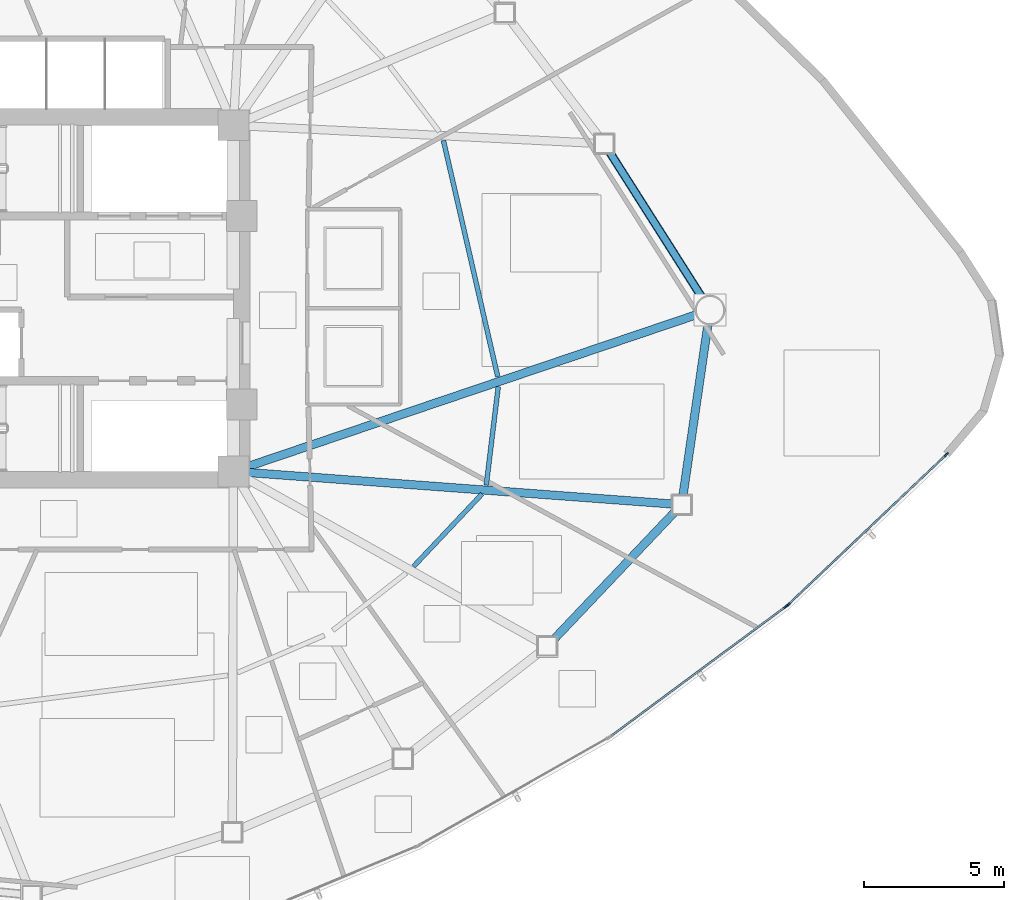
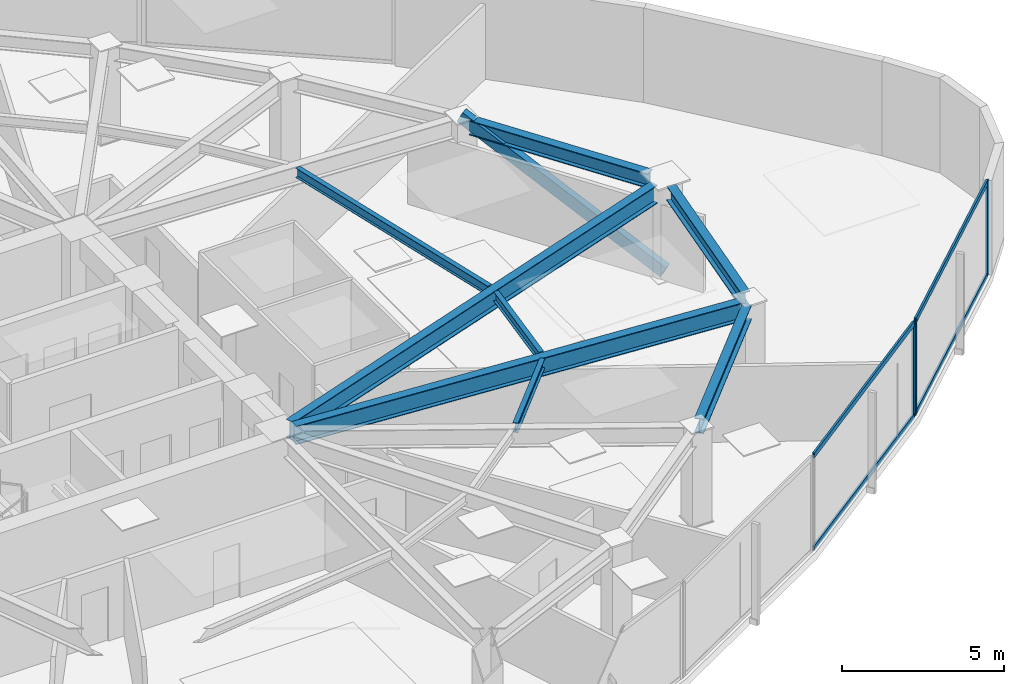
# One storey, part 6 of 17: 8 beams, 8 members, 2 elements without a shape of their own.
"""IFC4 building model written with IfcOpenShell, lengths in metres."""

from ifc_helpers import new_model, si_unit, direction, frame, origin, origin_2d, place, context, subcontext, project, spatial, hollow_rectangle, i_section, extrude, source, transform, mapped, material, layer, layer_set, material_profile, profile_set, type_object, type_shapes, element, aggregate, save


model = new_model("IFC4")

# Units and contexts
model_context = context("Model", 3, precision=1e-05, world=origin(), true_north=direction((0.0, 1.0)))
body_context = subcontext(model_context, "Body", "Model", "MODEL_VIEW")
ifc_project = project(units=[si_unit("LENGTHUNIT", "METRE"), si_unit("AREAUNIT", "SQUARE_METRE"), si_unit("VOLUMEUNIT", "CUBIC_METRE"), si_unit("PLANEANGLEUNIT", "RADIAN"), si_unit("MASSUNIT", "GRAM", prefix="KILO")], contexts=[model_context])

# Site, building, storey
site_placement = place(None, origin())
site = spatial("IfcSite", under=ifc_project, at=site_placement, CompositionType="ELEMENT")
building_placement = place(site_placement, origin())
building = spatial("IfcBuilding", under=site, at=building_placement, Name="Tavelor Broadcast Tower", CompositionType="ELEMENT")
storey_placement = place(building_placement, frame((0.0, 0.0, 142.550048828125)))
storey = spatial("IfcBuildingStorey", under=building, at=storey_placement, Name="L33", CompositionType="ELEMENT", Elevation=142.550048828125)

# Beams
ifc_material_1 = material(Name="Steel S355", Category="steel")
ifc_material_profile_1 = material_profile(ifc_material_1, i_section(OverallWidth=0.169921875, OverallDepth=0.360107421875, WebThickness=0.008056640625, FlangeThickness=0.0126953125, at=origin_2d()), Name="IPE 360")
ifc_profile_set_1 = profile_set([ifc_material_profile_1], Name="Steel S355")
beam_type_1 = type_object("IfcBeamType", Name="Composite Floor Joist T3 IPE 360", PredefinedType="JOIST", material=ifc_profile_set_1)
beam_1_placement = place(storey_placement, frame((63.05859375, 35.39990234375, 3.369873046875), z_axis=(0.686806065531, 0.726840717317, 0.0), x_axis=(-0.726840717317, 0.686806065531, 0.0)))
element("IfcBeam", 1, at=beam_1_placement, inside=storey, type_object=beam_type_1, Name="L33 Secondary Composite Floor Joist 11", PredefinedType="JOIST", context=body_context, shape_type="SweptSolid", body=[
    extrude(i_section(OverallWidth=0.169921875, OverallDepth=0.360107421875, WebThickness=0.008056640625, FlangeThickness=0.0126953125, at=origin_2d()), origin(), (0.0, 0.0, 1.0), 3.573486328125),
])
beam_2_placement = place(storey_placement, frame((65.6591796875, 38.30859375, 3.369873046875), z_axis=(0.120874566199, 0.992667788964, 0.0), x_axis=(-0.992667788964, 0.120874566199, 0.0)))
element("IfcBeam", 2, at=beam_2_placement, inside=storey, type_object=beam_type_1, Name="L33 Secondary Composite Floor Joist 12", PredefinedType="JOIST", context=body_context, shape_type="SweptSolid", body=[
    extrude(i_section(OverallWidth=0.169921875, OverallDepth=0.360107421875, WebThickness=0.008056640625, FlangeThickness=0.0126953125, at=origin_2d()), origin(), (0.0, 0.0, 1.0), 3.556884765625),
])
beam_3_placement = place(storey_placement, frame((66.0703125, 42.1953125, 3.369873046875), z_axis=(-0.224119909946, 0.974561576282, 0.0), x_axis=(-0.974561576282, -0.224119909946, 0.0)))
element("IfcBeam", 3, at=beam_3_placement, inside=storey, type_object=beam_type_1, Name="L33 Secondary Composite Floor Joist 13", PredefinedType="JOIST", context=body_context, shape_type="SweptSolid", body=[
    extrude(i_section(OverallWidth=0.169921875, OverallDepth=0.360107421875, WebThickness=0.008056640625, FlangeThickness=0.0126953125, at=origin_2d()), origin(), (0.0, 0.0, 1.0), 8.6796875),
])
ifc_material_profile_2 = material_profile(ifc_material_1, i_section(OverallWidth=0.300048828125, OverallDepth=0.550048828125, WebThickness=0.014892578125, FlangeThickness=0.029052734375, at=origin_2d()), Name="HEB 550")
ifc_profile_set_2 = profile_set([ifc_material_profile_2], Name="Steel S355")
beam_type_2 = type_object("IfcBeamType", Name="Perimeter Spandrel Beam T3 HEB 550", PredefinedType="SPANDREL", material=ifc_profile_set_2)
beam_4_placement = place(storey_placement, frame((68.073486328125, 32.775390625, 3.27490234375), z_axis=(0.688378130541, 0.72535201757, 0.0), x_axis=(-0.72535201757, 0.688378130541, 0.0)))
element("IfcBeam", 4, at=beam_4_placement, inside=storey, type_object=beam_type_2, Name="L33 Framed-Tube Ring Spandrel 11", PredefinedType="SPANDREL", context=body_context, shape_type="SweptSolid", body=[
    extrude(i_section(OverallWidth=0.300048828125, OverallDepth=0.550048828125, WebThickness=0.014892578125, FlangeThickness=0.029052734375, at=origin_2d()), origin(), (0.0, 0.0, 1.0), 6.32568359375),
])
beam_5_placement = place(storey_placement, frame((72.707763671875, 37.93994140625, 3.27490234375), z_axis=(0.144294035731, 0.989534856007, 0.0), x_axis=(-0.989534856007, 0.144294035731, 0.0)))
element("IfcBeam", 5, at=beam_5_placement, inside=storey, type_object=beam_type_2, Name="L33 Framed-Tube Ring Spandrel 12", PredefinedType="SPANDREL", context=body_context, shape_type="SweptSolid", body=[
    extrude(i_section(OverallWidth=0.300048828125, OverallDepth=0.550048828125, WebThickness=0.014892578125, FlangeThickness=0.029052734375, at=origin_2d()), origin(), (0.0, 0.0, 1.0), 6.19775390625),
])
beam_6_placement = place(storey_placement, frame((73.4013671875, 45.01171875, 3.27490234375), z_axis=(-0.536283466807, 0.844037939449, 0.0), x_axis=(-0.844037939449, -0.536283466807, 0.0)))
element("IfcBeam", 6, at=beam_6_placement, inside=storey, type_object=beam_type_2, Name="L33 Framed-Tube Ring Spandrel 13", PredefinedType="SPANDREL", context=body_context, shape_type="SweptSolid", body=[
    extrude(i_section(OverallWidth=0.300048828125, OverallDepth=0.550048828125, WebThickness=0.014892578125, FlangeThickness=0.029052734375, at=origin_2d()), origin(), (0.0, 0.0, 1.0), 6.21875),
])

# Member
ifc_material_profile_3 = material_profile(ifc_material_1, hollow_rectangle(XDim=0.25, YDim=0.449951171875, WallThickness=0.02001953125, at=origin_2d()), Name="RHS 450x250x20")
ifc_profile_set_3 = profile_set([ifc_material_profile_3], Name="Steel S355")
member_type_1 = type_object("IfcMemberType", Name="Perimeter Tube Brace T3 RHS 450x250x20", PredefinedType="BRACE", material=ifc_profile_set_3)
member_1_placement = place(storey_placement, frame((73.676025390625, 44.57958984375, 0.0), z_axis=(-0.479238755177, 0.754205232397, 0.448892729904), x_axis=(-0.844021198089, -0.536309814544, 0.0)))
element("IfcMember", 7, at=member_1_placement, inside=storey, type_object=member_type_1, Name="L33 Corner Tube Diagonal Brace 3", PredefinedType="BRACE", context=body_context, shape_type="SweptSolid", body=[
    extrude(hollow_rectangle(XDim=0.25, YDim=0.449951171875, WallThickness=0.02001953125, at=origin_2d()), origin(), (0.0, 0.0, 1.0), 7.908447265625),
])

# Beams
ifc_material_profile_4 = material_profile(ifc_material_1, i_section(OverallWidth=0.300048828125, OverallDepth=0.68994140625, WebThickness=0.014404296875, FlangeThickness=0.027099609375, at=origin_2d()), Name="HEA 700")
ifc_profile_set_4 = profile_set([ifc_material_profile_4], Name="Steel S355")
beam_type_3 = type_object("IfcBeamType", Name="Radial Floor Girder T3 HEA 700", PredefinedType="BEAM", material=ifc_profile_set_4)
beam_7_placement = place(storey_placement, frame((57.126708984375, 38.760986328125, 3.204833984375), z_axis=(0.997253617312, -0.074062289721, 0.0), x_axis=(0.074062289721, 0.997253617312, 0.0)))
element("IfcBeam", 8, at=beam_7_placement, inside=storey, type_object=beam_type_3, Name="L33 Radial Primary Floor Girder 12", PredefinedType="BEAM", context=body_context, shape_type="SweptSolid", body=[
    extrude(i_section(OverallWidth=0.300048828125, OverallDepth=0.68994140625, WebThickness=0.014404296875, FlangeThickness=0.027099609375, at=origin_2d()), origin(), (0.0, 0.0, 1.0), 15.2392578125),
])
beam_8_placement = place(storey_placement, frame((57.10009765625, 38.96923828125, 3.204833984375), z_axis=(0.947217379582, 0.32059200835, 0.0), x_axis=(-0.32059200835, 0.947217379582, 0.0)))
element("IfcBeam", 9, at=beam_8_placement, inside=storey, type_object=beam_type_3, Name="L33 Radial Primary Floor Girder 13", PredefinedType="BEAM", context=body_context, shape_type="SweptSolid", body=[
    extrude(i_section(OverallWidth=0.300048828125, OverallDepth=0.68994140625, WebThickness=0.014404296875, FlangeThickness=0.027099609375, at=origin_2d()), origin(), (0.0, 0.0, 1.0), 16.987548828125),
])

# Curtain wall, member
ifc_material_2 = material(Name="Architectural Anodized Aluminium", Category="aluminium")
ifc_layer = layer(ifc_material_2, 0.18994140625)
ifc_layer_set = layer_set([ifc_layer], Name="Architectural Anodized Aluminium")
curtain_wall_type = type_object("IfcCurtainWallType", Name="Tower Mid-Zone Acoustic Curtain Wall CW03", PredefinedType="NOTDEFINED", material=ifc_layer_set)
curtain_wall_1_placement = place(storey_placement, origin())
curtain_wall_1 = element("IfcCurtainWall", 10, at=curtain_wall_1_placement, inside=storey, type_object=curtain_wall_type, Name="L33 Curtain Wall CW03 Run 343", PredefinedType="NOTDEFINED")
ifc_material_profile_5 = material_profile(ifc_material_2, hollow_rectangle(XDim=0.068115234375, YDim=0.18994140625, WallThickness=0.02197265625, at=origin_2d()), Name="RHS 68x190x22")
ifc_profile_set_5 = profile_set([ifc_material_profile_5], Name="Architectural Anodized Aluminium")
member_type_2 = type_object("IfcMemberType", Name="CW03 Extruded Aluminium Mullion 68x190", PredefinedType="MULLION", material=ifc_profile_set_5)
shared_shape_1 = source(origin(), body_context, "Body", "SweptSolid", [
    extrude(hollow_rectangle(XDim=0.068115234375, YDim=0.18994140625, WallThickness=0.02197265625, at=origin_2d()), origin(), (0.0, 0.0, 1.0), 3.550048828125),
])
type_shapes(member_type_2, [shared_shape_1])
member_2_placement = place(storey_placement, frame((76.39306640625, 33.958740234375, 0.0), z_axis=(0.0, 0.0, 1.0), x_axis=(-0.59518653881, 0.803587570847, 0.0)))
member_2 = element("IfcMember", 11, at=member_2_placement, type_object=member_type_2, Name="CW03 mullion 2", PredefinedType="MULLION", context=body_context, shape_type="MappedRepresentation", body=[
    mapped(shared_shape_1, transform((0.0, 0.0, 0.0), scale=1.0)),
])

# Curtain wall, members
curtain_wall_2_placement = place(storey_placement, origin())
curtain_wall_2 = element("IfcCurtainWall", 12, at=curtain_wall_2_placement, inside=storey, type_object=curtain_wall_type, Name="L33 Curtain Wall CW03 Run 344", PredefinedType="NOTDEFINED")
member_3_placement = place(storey_placement, frame((76.468017578125, 34.021728515625, 0.0), z_axis=(0.0, 0.0, 1.0), x_axis=(-0.688050151605, 0.725663137328, 0.0)))
member_3 = element("IfcMember", 13, at=member_3_placement, type_object=member_type_2, Name="CW03 mullion 1", PredefinedType="MULLION", context=body_context, shape_type="MappedRepresentation", body=[
    mapped(shared_shape_1, transform((0.0, 0.0, 0.0), scale=1.0)),
])
member_4_placement = place(storey_placement, frame((82.142822265625, 39.40234375, 0.0), z_axis=(0.0, 0.0, 1.0), x_axis=(-0.688050151605, 0.725663137328, 0.0)))
member_4 = element("IfcMember", 14, at=member_4_placement, type_object=member_type_2, Name="CW03 mullion 2", PredefinedType="MULLION", context=body_context, shape_type="MappedRepresentation", body=[
    mapped(shared_shape_1, transform((0.0, 0.0, 0.0), scale=1.0)),
])
ifc_material_profile_6 = material_profile(ifc_material_2, hollow_rectangle(XDim=0.068115234375, YDim=0.18994140625, WallThickness=0.02197265625, at=origin_2d()), Name="RHS 68x190x22")
ifc_profile_set_6 = profile_set([ifc_material_profile_6], Name="Architectural Anodized Aluminium")
member_type_3 = type_object("IfcMemberType", Name="CW03 Extruded Aluminium Transom 68x190", PredefinedType="USERDEFINED", material=ifc_profile_set_6)
shared_shape_2 = source(origin(), body_context, "Body", "SweptSolid", [
    extrude(hollow_rectangle(XDim=0.068115234375, YDim=0.18994140625, WallThickness=0.02197265625, at=origin_2d()), origin(), (0.0, 0.0, 1.0), 7.752197265625),
])
member_5_placement = place(storey_placement, frame((76.49267578125, 34.045166015625, 0.033935546875), z_axis=(0.725673734138, 0.688038975337, 0.0), x_axis=(-0.688038975337, 0.725673734138, 0.0)))
member_5 = element("IfcMember", 15, at=member_5_placement, type_object=member_type_3, Name="CW03 transom 1.1", ObjectType="TRANSOM", PredefinedType="USERDEFINED", context=body_context, shape_type="MappedRepresentation", body=[
    mapped(shared_shape_2, transform((0.0, 0.0, 0.0), scale=1.0)),
])
member_6_placement = place(storey_placement, frame((76.49267578125, 34.045166015625, 3.515869140625), z_axis=(0.725673734138, 0.688038975337, 0.0), x_axis=(-0.688038975337, 0.725673734138, 0.0)))
member_6 = element("IfcMember", 16, at=member_6_placement, type_object=member_type_3, Name="CW03 transom 1.2", ObjectType="TRANSOM", PredefinedType="USERDEFINED", context=body_context, shape_type="MappedRepresentation", body=[
    mapped(shared_shape_2, transform((0.0, 0.0, 0.0), scale=1.0)),
])
aggregate(curtain_wall_2, [member_3, member_4, member_5, member_6])

# Member
shared_shape_3 = source(origin(), body_context, "Body", "SweptSolid", [
    extrude(hollow_rectangle(XDim=0.068115234375, YDim=0.18994140625, WallThickness=0.02197265625, at=origin_2d()), origin(), (0.0, 0.0, 1.0), 7.736572265625),
])
type_shapes(member_type_3, [shared_shape_2, shared_shape_3])
member_7_placement = place(storey_placement, frame((70.14892578125, 29.333984375, 0.033935546875), z_axis=(0.803601913293, 0.595167173953, 0.0), x_axis=(-0.595167173953, 0.803601913293, 0.0)))
member_7 = element("IfcMember", 17, at=member_7_placement, type_object=member_type_3, Name="CW03 transom 1.1", ObjectType="TRANSOM", PredefinedType="USERDEFINED", context=body_context, shape_type="MappedRepresentation", body=[
    mapped(shared_shape_3, transform((0.0, 0.0, 0.0), scale=1.0)),
])

member_8_placement = place(storey_placement, frame((70.14892578125, 29.333984375, 3.515869140625), z_axis=(0.803601913293, 0.595167173953, 0.0), x_axis=(-0.595167173953, 0.803601913293, 0.0)))
member_8 = element("IfcMember", 18, at=member_8_placement, type_object=member_type_3, Name="CW03 transom 1.2", ObjectType="TRANSOM", PredefinedType="USERDEFINED", context=body_context, shape_type="MappedRepresentation", body=[
    mapped(shared_shape_3, transform((0.0, 0.0, 0.0), scale=1.0)),
])

aggregate(curtain_wall_1, [member_2, member_7, member_8])

save(model, "model.ifc")
